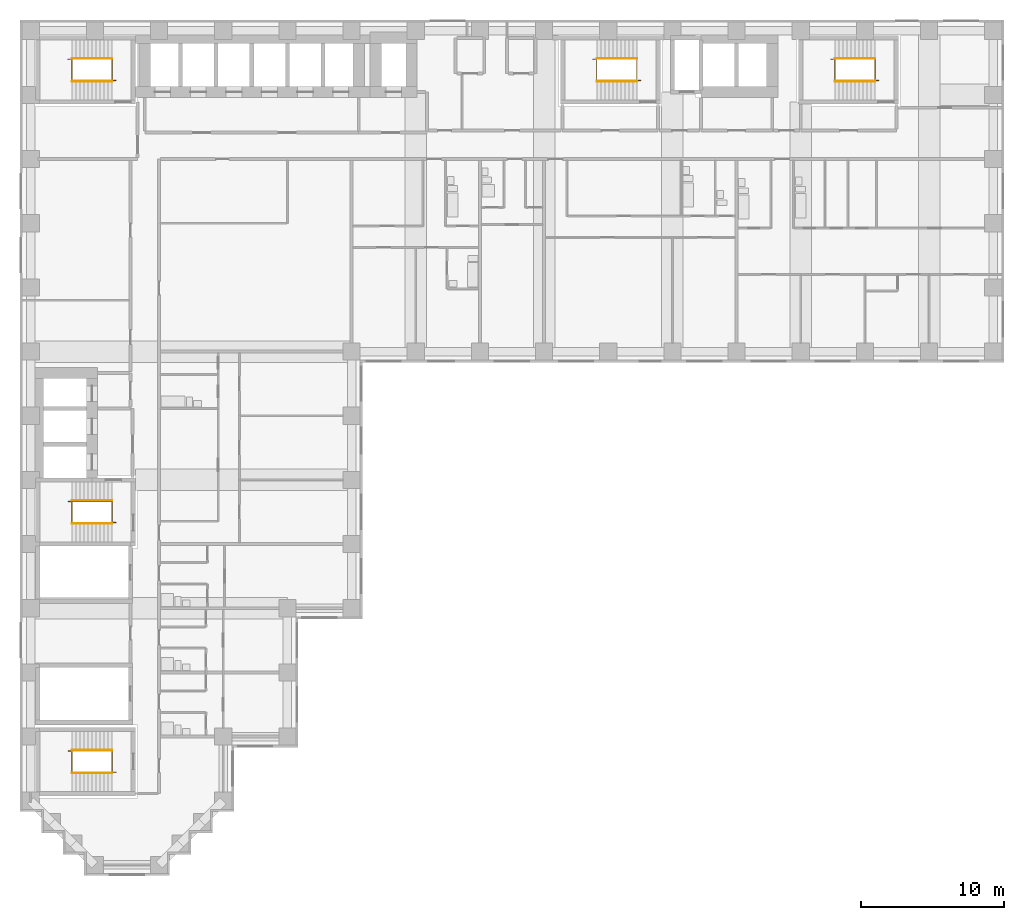
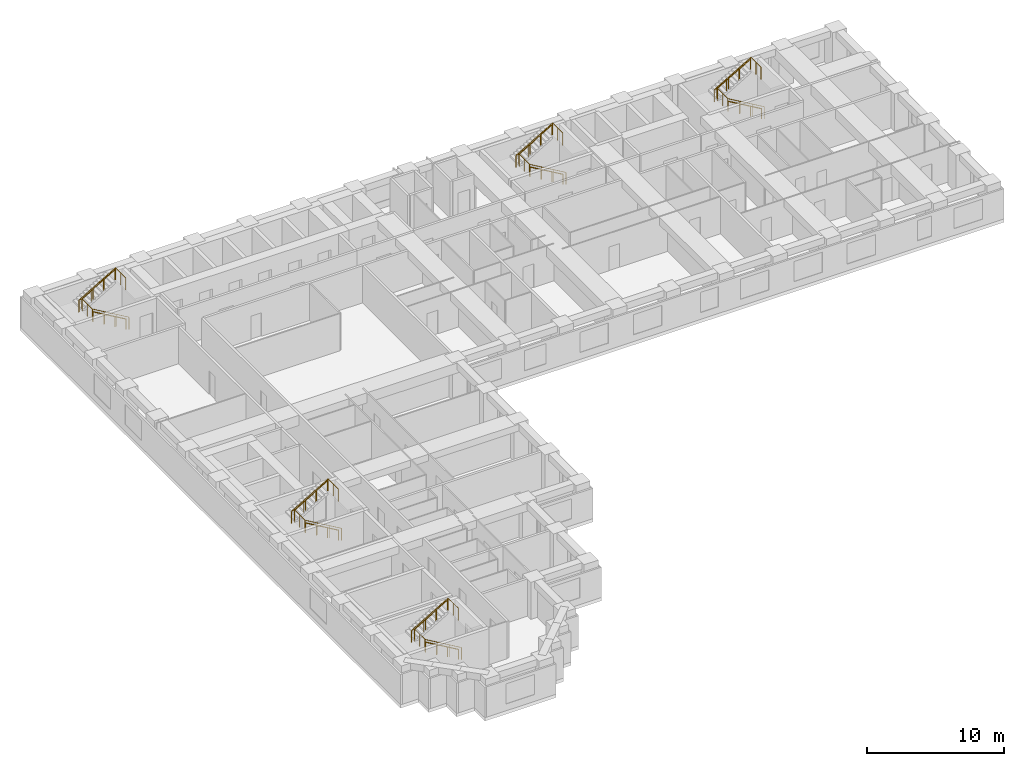
# One storey, part 10 of 11: 15 railings.
"""IFC4 building model written with IfcOpenShell, lengths in metres."""

from ifc_helpers import new_model, si_unit, direction, frame, origin, origin_2d, place, context, subcontext, project, spatial, circle, extrude, material, type_object, element, save


model = new_model("IFC4")

# Units and contexts
model_context = context("Model", 3, precision=1e-05, world=origin(), true_north=direction((0.0, 1.0)))
body_context = subcontext(model_context, "Body", "Model", "MODEL_VIEW")
ifc_project = project(units=[si_unit("LENGTHUNIT", "METRE"), si_unit("AREAUNIT", "SQUARE_METRE"), si_unit("VOLUMEUNIT", "CUBIC_METRE"), si_unit("PLANEANGLEUNIT", "RADIAN"), si_unit("MASSUNIT", "GRAM", prefix="KILO")], contexts=[model_context])

# Site, building, storey
site_placement = place(None, origin())
site = spatial("IfcSite", under=ifc_project, at=site_placement, CompositionType="ELEMENT")
building_placement = place(site_placement, origin())
building = spatial("IfcBuilding", under=site, at=building_placement, Name="Firuza Court", CompositionType="ELEMENT")
storey_placement = place(building_placement, frame((0.0, 0.0, 79.39990234375)))
storey = spatial("IfcBuildingStorey", under=building, at=storey_placement, Name="L19", CompositionType="ELEMENT", Elevation=79.39990234375)

# Railings
ifc_material_1 = material(Name="Steel S355", Category="steel")
railing_type_1 = type_object("IfcRailingType", Name="Handrail 900", PredefinedType="HANDRAIL", material=ifc_material_1)
railing_1_placement = place(storey_placement, frame((42.5, 54.949951171875, 0.163818359375)))
element("IfcRailing", 1, at=railing_1_placement, inside=storey, type_object=railing_type_1, Name="Handrail S1 flight 1", PredefinedType="HANDRAIL", context=body_context, shape_type="SweptSolid", body=[
    extrude(circle(Radius=0.02490234375, at=origin_2d()), frame((0.0, 0.0, 0.875), z_axis=(-0.863393664356, 0.0, 0.504530851732), x_axis=(0.0, -1.0, 0.0)), (0.0, 0.0, 1.0), 3.2431640625),
    extrude(circle(Radius=0.02001953125, at=origin_2d()), origin(), (0.0, 0.0, 1.0), 0.849853515625),
    extrude(circle(Radius=0.02001953125, at=origin_2d()), frame((-0.933349609375, 0.0, 0.54541015625)), (0.0, 0.0, 1.0), 0.849853515625),
    extrude(circle(Radius=0.02001953125, at=origin_2d()), frame((-1.86669921875, 0.0, 1.0908203125)), (0.0, 0.0, 1.0), 0.849853515625),
    extrude(circle(Radius=0.02001953125, at=origin_2d()), frame((-2.800048828125, 0.0, 1.63623046875)), (0.0, 0.0, 1.0), 0.849853515625),
])
railing_2_placement = place(storey_placement, frame((39.699951171875, 56.550048828125, 1.963623046875)))
element("IfcRailing", 2, at=railing_2_placement, inside=storey, type_object=railing_type_1, Name="Handrail S1 flight 2", PredefinedType="HANDRAIL", context=body_context, shape_type="SweptSolid", body=[
    extrude(circle(Radius=0.02490234375, at=origin_2d()), frame((0.0, 0.0, 0.875), z_axis=(0.863360870873, 0.0, 0.504586966384), x_axis=(0.0, 1.0, 0.0)), (0.0, 0.0, 1.0), 3.2431640625),
    extrude(circle(Radius=0.02001953125, at=origin_2d()), origin(), (0.0, 0.0, 1.0), 0.849853515625),
    extrude(circle(Radius=0.02001953125, at=origin_2d()), frame((0.933349609375, 0.0, 0.54541015625)), (0.0, 0.0, 1.0), 0.849853515625),
    extrude(circle(Radius=0.02001953125, at=origin_2d()), frame((1.86669921875, 0.0, 1.091064453125)), (0.0, 0.0, 1.0), 0.849853515625),
    extrude(circle(Radius=0.02001953125, at=origin_2d()), frame((2.800048828125, 0.0, 1.636474609375)), (0.0, 0.0, 1.0), 0.849853515625),
])
railing_3_placement = place(storey_placement, frame((5.699951171875, 23.949951171875, 0.163818359375)))
element("IfcRailing", 3, at=railing_3_placement, inside=storey, type_object=railing_type_1, Name="Handrail S2 flight 1", PredefinedType="HANDRAIL", context=body_context, shape_type="SweptSolid", body=[
    extrude(circle(Radius=0.02490234375, at=origin_2d()), frame((0.0, 0.0, 0.875), z_axis=(-0.863393664356, 0.0, 0.504530851732), x_axis=(0.0, -1.0, 0.0)), (0.0, 0.0, 1.0), 3.2431640625),
    extrude(circle(Radius=0.02001953125, at=origin_2d()), origin(), (0.0, 0.0, 1.0), 0.849853515625),
    extrude(circle(Radius=0.02001953125, at=origin_2d()), frame((-0.933349609375, 0.0, 0.54541015625)), (0.0, 0.0, 1.0), 0.849853515625),
    extrude(circle(Radius=0.02001953125, at=origin_2d()), frame((-1.86669921875, 0.0, 1.0908203125)), (0.0, 0.0, 1.0), 0.849853515625),
    extrude(circle(Radius=0.02001953125, at=origin_2d()), frame((-2.800048828125, 0.0, 1.63623046875)), (0.0, 0.0, 1.0), 0.849853515625),
])
railing_4_placement = place(storey_placement, frame((2.89990234375, 25.550048828125, 1.963623046875)))
element("IfcRailing", 4, at=railing_4_placement, inside=storey, type_object=railing_type_1, Name="Handrail S2 flight 2", PredefinedType="HANDRAIL", context=body_context, shape_type="SweptSolid", body=[
    extrude(circle(Radius=0.02490234375, at=origin_2d()), frame((0.0, 0.0, 0.875), z_axis=(0.863360870873, 0.0, 0.504586966384), x_axis=(0.0, 1.0, 0.0)), (0.0, 0.0, 1.0), 3.2431640625),
    extrude(circle(Radius=0.02001953125, at=origin_2d()), origin(), (0.0, 0.0, 1.0), 0.849853515625),
    extrude(circle(Radius=0.02001953125, at=origin_2d()), frame((0.933349609375, 0.0, 0.54541015625)), (0.0, 0.0, 1.0), 0.849853515625),
    extrude(circle(Radius=0.02001953125, at=origin_2d()), frame((1.86669921875, 0.0, 1.091064453125)), (0.0, 0.0, 1.0), 0.849853515625),
    extrude(circle(Radius=0.02001953125, at=origin_2d()), frame((2.800048828125, 0.0, 1.636474609375)), (0.0, 0.0, 1.0), 0.849853515625),
])
railing_5_placement = place(storey_placement, frame((5.699951171875, 54.949951171875, 0.163818359375)))
element("IfcRailing", 5, at=railing_5_placement, inside=storey, type_object=railing_type_1, Name="Handrail S3 flight 1", PredefinedType="HANDRAIL", context=body_context, shape_type="SweptSolid", body=[
    extrude(circle(Radius=0.02490234375, at=origin_2d()), frame((0.0, 0.0, 0.875), z_axis=(-0.863393664356, 0.0, 0.504530851732), x_axis=(0.0, -1.0, 0.0)), (0.0, 0.0, 1.0), 3.2431640625),
    extrude(circle(Radius=0.02001953125, at=origin_2d()), origin(), (0.0, 0.0, 1.0), 0.849853515625),
    extrude(circle(Radius=0.02001953125, at=origin_2d()), frame((-0.933349609375, 0.0, 0.54541015625)), (0.0, 0.0, 1.0), 0.849853515625),
    extrude(circle(Radius=0.02001953125, at=origin_2d()), frame((-1.86669921875, 0.0, 1.0908203125)), (0.0, 0.0, 1.0), 0.849853515625),
    extrude(circle(Radius=0.02001953125, at=origin_2d()), frame((-2.800048828125, 0.0, 1.63623046875)), (0.0, 0.0, 1.0), 0.849853515625),
])
railing_6_placement = place(storey_placement, frame((2.89990234375, 56.550048828125, 1.963623046875)))
element("IfcRailing", 6, at=railing_6_placement, inside=storey, type_object=railing_type_1, Name="Handrail S3 flight 2", PredefinedType="HANDRAIL", context=body_context, shape_type="SweptSolid", body=[
    extrude(circle(Radius=0.02490234375, at=origin_2d()), frame((0.0, 0.0, 0.875), z_axis=(0.863360870873, 0.0, 0.504586966384), x_axis=(0.0, 1.0, 0.0)), (0.0, 0.0, 1.0), 3.2431640625),
    extrude(circle(Radius=0.02001953125, at=origin_2d()), origin(), (0.0, 0.0, 1.0), 0.849853515625),
    extrude(circle(Radius=0.02001953125, at=origin_2d()), frame((0.933349609375, 0.0, 0.54541015625)), (0.0, 0.0, 1.0), 0.849853515625),
    extrude(circle(Radius=0.02001953125, at=origin_2d()), frame((1.86669921875, 0.0, 1.091064453125)), (0.0, 0.0, 1.0), 0.849853515625),
    extrude(circle(Radius=0.02001953125, at=origin_2d()), frame((2.800048828125, 0.0, 1.636474609375)), (0.0, 0.0, 1.0), 0.849853515625),
])
railing_7_placement = place(storey_placement, frame((59.199951171875, 54.949951171875, 0.163818359375)))
element("IfcRailing", 7, at=railing_7_placement, inside=storey, type_object=railing_type_1, Name="Handrail S4 flight 1", PredefinedType="HANDRAIL", context=body_context, shape_type="SweptSolid", body=[
    extrude(circle(Radius=0.02490234375, at=origin_2d()), frame((0.0, 0.0, 0.875), z_axis=(-0.863393664356, 0.0, 0.504530851732), x_axis=(0.0, -1.0, 0.0)), (0.0, 0.0, 1.0), 3.2431640625),
    extrude(circle(Radius=0.02001953125, at=origin_2d()), origin(), (0.0, 0.0, 1.0), 0.849853515625),
    extrude(circle(Radius=0.02001953125, at=origin_2d()), frame((-0.933349609375, 0.0, 0.54541015625)), (0.0, 0.0, 1.0), 0.849853515625),
    extrude(circle(Radius=0.02001953125, at=origin_2d()), frame((-1.86669921875, 0.0, 1.0908203125)), (0.0, 0.0, 1.0), 0.849853515625),
    extrude(circle(Radius=0.02001953125, at=origin_2d()), frame((-2.800048828125, 0.0, 1.63623046875)), (0.0, 0.0, 1.0), 0.849853515625),
])
railing_8_placement = place(storey_placement, frame((56.39990234375, 56.550048828125, 1.963623046875)))
element("IfcRailing", 8, at=railing_8_placement, inside=storey, type_object=railing_type_1, Name="Handrail S4 flight 2", PredefinedType="HANDRAIL", context=body_context, shape_type="SweptSolid", body=[
    extrude(circle(Radius=0.02490234375, at=origin_2d()), frame((0.0, 0.0, 0.875), z_axis=(0.863360870873, 0.0, 0.504586966384), x_axis=(0.0, 1.0, 0.0)), (0.0, 0.0, 1.0), 3.2431640625),
    extrude(circle(Radius=0.02001953125, at=origin_2d()), origin(), (0.0, 0.0, 1.0), 0.849853515625),
    extrude(circle(Radius=0.02001953125, at=origin_2d()), frame((0.933349609375, 0.0, 0.54541015625)), (0.0, 0.0, 1.0), 0.849853515625),
    extrude(circle(Radius=0.02001953125, at=origin_2d()), frame((1.86669921875, 0.0, 1.091064453125)), (0.0, 0.0, 1.0), 0.849853515625),
    extrude(circle(Radius=0.02001953125, at=origin_2d()), frame((2.800048828125, 0.0, 1.636474609375)), (0.0, 0.0, 1.0), 0.849853515625),
])
railing_9_placement = place(storey_placement, frame((5.699951171875, 6.449951171875, 0.163818359375)))
element("IfcRailing", 9, at=railing_9_placement, inside=storey, type_object=railing_type_1, Name="Handrail S5 flight 1", PredefinedType="HANDRAIL", context=body_context, shape_type="SweptSolid", body=[
    extrude(circle(Radius=0.02490234375, at=origin_2d()), frame((0.0, 0.0, 0.875), z_axis=(-0.863393664356, 0.0, 0.504530851732), x_axis=(0.0, -1.0, 0.0)), (0.0, 0.0, 1.0), 3.2431640625),
    extrude(circle(Radius=0.02001953125, at=origin_2d()), origin(), (0.0, 0.0, 1.0), 0.849853515625),
    extrude(circle(Radius=0.02001953125, at=origin_2d()), frame((-0.933349609375, 0.0, 0.54541015625)), (0.0, 0.0, 1.0), 0.849853515625),
    extrude(circle(Radius=0.02001953125, at=origin_2d()), frame((-1.86669921875, 0.0, 1.0908203125)), (0.0, 0.0, 1.0), 0.849853515625),
    extrude(circle(Radius=0.02001953125, at=origin_2d()), frame((-2.800048828125, 0.0, 1.63623046875)), (0.0, 0.0, 1.0), 0.849853515625),
])
railing_10_placement = place(storey_placement, frame((2.89990234375, 8.050048828125, 1.963623046875)))
element("IfcRailing", 10, at=railing_10_placement, inside=storey, type_object=railing_type_1, Name="Handrail S5 flight 2", PredefinedType="HANDRAIL", context=body_context, shape_type="SweptSolid", body=[
    extrude(circle(Radius=0.02490234375, at=origin_2d()), frame((0.0, 0.0, 0.875), z_axis=(0.863360870873, 0.0, 0.504586966384), x_axis=(0.0, 1.0, 0.0)), (0.0, 0.0, 1.0), 3.2431640625),
    extrude(circle(Radius=0.02001953125, at=origin_2d()), origin(), (0.0, 0.0, 1.0), 0.849853515625),
    extrude(circle(Radius=0.02001953125, at=origin_2d()), frame((0.933349609375, 0.0, 0.54541015625)), (0.0, 0.0, 1.0), 0.849853515625),
    extrude(circle(Radius=0.02001953125, at=origin_2d()), frame((1.86669921875, 0.0, 1.091064453125)), (0.0, 0.0, 1.0), 0.849853515625),
    extrude(circle(Radius=0.02001953125, at=origin_2d()), frame((2.800048828125, 0.0, 1.636474609375)), (0.0, 0.0, 1.0), 0.849853515625),
])
ifc_material_2 = material(Name="Steel S355", Category="steel")
railing_type_2 = type_object("IfcRailingType", Name="Stair guard 1100", PredefinedType="GUARDRAIL", material=ifc_material_2)
railing_11_placement = place(storey_placement, frame((42.780029296875, 55.010009765625, 0.0)))
element("IfcRailing", 11, at=railing_11_placement, inside=storey, type_object=railing_type_2, Name="Stair well guard S1", PredefinedType="GUARDRAIL", context=body_context, shape_type="SweptSolid", body=[
    extrude(circle(Radius=0.02490234375, at=origin_2d()), frame((0.0, 0.0, 1.0751953125), z_axis=(-0.863371556955, 0.0, 0.504568681787), x_axis=(0.0, -1.0, 0.0)), (0.0, 0.0, 1.0), 3.5673828125),
    extrude(circle(Radius=0.02490234375, at=origin_2d()), frame((-3.080078125, 0.0, 2.875), z_axis=(0.0, 1.0, 0.0), x_axis=(-1.0, 0.0, 0.0)), (0.0, 0.0, 1.0), 1.47998046875),
    extrude(circle(Radius=0.02490234375, at=origin_2d()), frame((-3.080078125, 1.47998046875, 2.875), z_axis=(-1.0, 0.0, 0.0), x_axis=(0.0, -1.0, 0.0)), (0.0, 0.0, 1.0), 0.280029296875),
    extrude(circle(Radius=0.02490234375, at=origin_2d()), frame((-3.360107421875, 1.47998046875, 2.875), z_axis=(0.863371556955, 0.0, 0.504568681787), x_axis=(0.0, 1.0, 0.0)), (0.0, 0.0, 1.0), 3.5673828125),
    extrude(circle(Radius=0.02490234375, at=origin_2d()), frame((-0.280029296875, 1.47998046875, 4.67529296875), z_axis=(0.0, -1.0, 0.0), x_axis=(1.0, 0.0, 0.0)), (0.0, 0.0, 1.0), 1.47998046875),
    extrude(circle(Radius=0.02490234375, at=origin_2d()), origin(), (0.0, 0.0, 1.0), 1.050048828125),
    extrude(circle(Radius=0.02490234375, at=origin_2d()), frame((-1.026611328125, 0.0, 0.60009765625)), (0.0, 0.0, 1.0), 1.050048828125),
    extrude(circle(Radius=0.02490234375, at=origin_2d()), frame((-2.053466796875, 0.0, 1.199951171875)), (0.0, 0.0, 1.0), 1.050048828125),
    extrude(circle(Radius=0.02490234375, at=origin_2d()), frame((-3.080078125, 0.0, 1.800048828125)), (0.0, 0.0, 1.0), 1.050048828125),
    extrude(circle(Radius=0.02490234375, at=origin_2d()), frame((-3.080078125, 0.739990234375, 1.800048828125)), (0.0, 0.0, 1.0), 1.050048828125),
    extrude(circle(Radius=0.02490234375, at=origin_2d()), frame((-3.080078125, 1.47998046875, 1.800048828125)), (0.0, 0.0, 1.0), 1.050048828125),
    extrude(circle(Radius=0.02490234375, at=origin_2d()), frame((-3.360107421875, 1.47998046875, 1.800048828125)), (0.0, 0.0, 1.0), 1.050048828125),
    extrude(circle(Radius=0.02490234375, at=origin_2d()), frame((-2.33349609375, 1.47998046875, 2.400146484375)), (0.0, 0.0, 1.0), 1.050048828125),
    extrude(circle(Radius=0.02490234375, at=origin_2d()), frame((-1.306640625, 1.47998046875, 3.0)), (0.0, 0.0, 1.0), 1.050048828125),
    extrude(circle(Radius=0.02490234375, at=origin_2d()), frame((-0.280029296875, 1.47998046875, 3.60009765625)), (0.0, 0.0, 1.0), 1.050048828125),
    extrude(circle(Radius=0.02490234375, at=origin_2d()), frame((-0.280029296875, 0.739990234375, 3.60009765625)), (0.0, 0.0, 1.0), 1.050048828125),
    extrude(circle(Radius=0.02490234375, at=origin_2d()), frame((-0.280029296875, 0.0, 3.60009765625)), (0.0, 0.0, 1.0), 1.050048828125),
])
railing_12_placement = place(storey_placement, frame((5.97998046875, 24.010009765625, 0.0)))
element("IfcRailing", 12, at=railing_12_placement, inside=storey, type_object=railing_type_2, Name="Stair well guard S2", PredefinedType="GUARDRAIL", context=body_context, shape_type="SweptSolid", body=[
    extrude(circle(Radius=0.02490234375, at=origin_2d()), frame((0.0, 0.0, 1.0751953125), z_axis=(-0.863371556955, 0.0, 0.504568681787), x_axis=(0.0, -1.0, 0.0)), (0.0, 0.0, 1.0), 3.5673828125),
    extrude(circle(Radius=0.02490234375, at=origin_2d()), frame((-3.080078125, 0.0, 2.875), z_axis=(0.0, 1.0, 0.0), x_axis=(-1.0, 0.0, 0.0)), (0.0, 0.0, 1.0), 1.47998046875),
    extrude(circle(Radius=0.02490234375, at=origin_2d()), frame((-3.080078125, 1.47998046875, 2.875), z_axis=(-1.0, 0.0, 0.0), x_axis=(0.0, -1.0, 0.0)), (0.0, 0.0, 1.0), 0.27978515625),
    extrude(circle(Radius=0.02490234375, at=origin_2d()), frame((-3.35986328125, 1.47998046875, 2.875), z_axis=(0.863354132664, 0.0, 0.504598495452), x_axis=(0.0, 1.0, 0.0)), (0.0, 0.0, 1.0), 3.5673828125),
    extrude(circle(Radius=0.02490234375, at=origin_2d()), frame((-0.280029296875, 1.47998046875, 4.67529296875), z_axis=(0.0, -1.0, 0.0), x_axis=(1.0, 0.0, 0.0)), (0.0, 0.0, 1.0), 1.47998046875),
    extrude(circle(Radius=0.02490234375, at=origin_2d()), origin(), (0.0, 0.0, 1.0), 1.050048828125),
    extrude(circle(Radius=0.02490234375, at=origin_2d()), frame((-1.026611328125, 0.0, 0.60009765625)), (0.0, 0.0, 1.0), 1.050048828125),
    extrude(circle(Radius=0.02490234375, at=origin_2d()), frame((-2.053466796875, 0.0, 1.199951171875)), (0.0, 0.0, 1.0), 1.050048828125),
    extrude(circle(Radius=0.02490234375, at=origin_2d()), frame((-3.080078125, 0.0, 1.800048828125)), (0.0, 0.0, 1.0), 1.050048828125),
    extrude(circle(Radius=0.02490234375, at=origin_2d()), frame((-3.080078125, 0.739990234375, 1.800048828125)), (0.0, 0.0, 1.0), 1.050048828125),
    extrude(circle(Radius=0.02490234375, at=origin_2d()), frame((-3.080078125, 1.47998046875, 1.800048828125)), (0.0, 0.0, 1.0), 1.050048828125),
    extrude(circle(Radius=0.02490234375, at=origin_2d()), frame((-3.35986328125, 1.47998046875, 1.800048828125)), (0.0, 0.0, 1.0), 1.050048828125),
    extrude(circle(Radius=0.02490234375, at=origin_2d()), frame((-2.333251953125, 1.47998046875, 2.400146484375)), (0.0, 0.0, 1.0), 1.050048828125),
    extrude(circle(Radius=0.02490234375, at=origin_2d()), frame((-1.306640625, 1.47998046875, 3.0)), (0.0, 0.0, 1.0), 1.050048828125),
    extrude(circle(Radius=0.02490234375, at=origin_2d()), frame((-0.280029296875, 1.47998046875, 3.60009765625)), (0.0, 0.0, 1.0), 1.050048828125),
    extrude(circle(Radius=0.02490234375, at=origin_2d()), frame((-0.280029296875, 0.739990234375, 3.60009765625)), (0.0, 0.0, 1.0), 1.050048828125),
    extrude(circle(Radius=0.02490234375, at=origin_2d()), frame((-0.280029296875, 0.0, 3.60009765625)), (0.0, 0.0, 1.0), 1.050048828125),
])
railing_13_placement = place(storey_placement, frame((5.97998046875, 55.010009765625, 0.0)))
element("IfcRailing", 13, at=railing_13_placement, inside=storey, type_object=railing_type_2, Name="Stair well guard S3", PredefinedType="GUARDRAIL", context=body_context, shape_type="SweptSolid", body=[
    extrude(circle(Radius=0.02490234375, at=origin_2d()), frame((0.0, 0.0, 1.0751953125), z_axis=(-0.863371556955, 0.0, 0.504568681787), x_axis=(0.0, -1.0, 0.0)), (0.0, 0.0, 1.0), 3.5673828125),
    extrude(circle(Radius=0.02490234375, at=origin_2d()), frame((-3.080078125, 0.0, 2.875), z_axis=(0.0, 1.0, 0.0), x_axis=(-1.0, 0.0, 0.0)), (0.0, 0.0, 1.0), 1.47998046875),
    extrude(circle(Radius=0.02490234375, at=origin_2d()), frame((-3.080078125, 1.47998046875, 2.875), z_axis=(-1.0, 0.0, 0.0), x_axis=(0.0, -1.0, 0.0)), (0.0, 0.0, 1.0), 0.27978515625),
    extrude(circle(Radius=0.02490234375, at=origin_2d()), frame((-3.35986328125, 1.47998046875, 2.875), z_axis=(0.863354132664, 0.0, 0.504598495452), x_axis=(0.0, 1.0, 0.0)), (0.0, 0.0, 1.0), 3.5673828125),
    extrude(circle(Radius=0.02490234375, at=origin_2d()), frame((-0.280029296875, 1.47998046875, 4.67529296875), z_axis=(0.0, -1.0, 0.0), x_axis=(1.0, 0.0, 0.0)), (0.0, 0.0, 1.0), 1.47998046875),
    extrude(circle(Radius=0.02490234375, at=origin_2d()), origin(), (0.0, 0.0, 1.0), 1.050048828125),
    extrude(circle(Radius=0.02490234375, at=origin_2d()), frame((-1.026611328125, 0.0, 0.60009765625)), (0.0, 0.0, 1.0), 1.050048828125),
    extrude(circle(Radius=0.02490234375, at=origin_2d()), frame((-2.053466796875, 0.0, 1.199951171875)), (0.0, 0.0, 1.0), 1.050048828125),
    extrude(circle(Radius=0.02490234375, at=origin_2d()), frame((-3.080078125, 0.0, 1.800048828125)), (0.0, 0.0, 1.0), 1.050048828125),
    extrude(circle(Radius=0.02490234375, at=origin_2d()), frame((-3.080078125, 0.739990234375, 1.800048828125)), (0.0, 0.0, 1.0), 1.050048828125),
    extrude(circle(Radius=0.02490234375, at=origin_2d()), frame((-3.080078125, 1.47998046875, 1.800048828125)), (0.0, 0.0, 1.0), 1.050048828125),
    extrude(circle(Radius=0.02490234375, at=origin_2d()), frame((-3.35986328125, 1.47998046875, 1.800048828125)), (0.0, 0.0, 1.0), 1.050048828125),
    extrude(circle(Radius=0.02490234375, at=origin_2d()), frame((-2.333251953125, 1.47998046875, 2.400146484375)), (0.0, 0.0, 1.0), 1.050048828125),
    extrude(circle(Radius=0.02490234375, at=origin_2d()), frame((-1.306640625, 1.47998046875, 3.0)), (0.0, 0.0, 1.0), 1.050048828125),
    extrude(circle(Radius=0.02490234375, at=origin_2d()), frame((-0.280029296875, 1.47998046875, 3.60009765625)), (0.0, 0.0, 1.0), 1.050048828125),
    extrude(circle(Radius=0.02490234375, at=origin_2d()), frame((-0.280029296875, 0.739990234375, 3.60009765625)), (0.0, 0.0, 1.0), 1.050048828125),
    extrude(circle(Radius=0.02490234375, at=origin_2d()), frame((-0.280029296875, 0.0, 3.60009765625)), (0.0, 0.0, 1.0), 1.050048828125),
])
railing_14_placement = place(storey_placement, frame((59.47998046875, 55.010009765625, 0.0)))
element("IfcRailing", 14, at=railing_14_placement, inside=storey, type_object=railing_type_2, Name="Stair well guard S4", PredefinedType="GUARDRAIL", context=body_context, shape_type="SweptSolid", body=[
    extrude(circle(Radius=0.02490234375, at=origin_2d()), frame((0.0, 0.0, 1.0751953125), z_axis=(-0.863371556955, 0.0, 0.504568681787), x_axis=(0.0, -1.0, 0.0)), (0.0, 0.0, 1.0), 3.5673828125),
    extrude(circle(Radius=0.02490234375, at=origin_2d()), frame((-3.080078125, 0.0, 2.875), z_axis=(0.0, 1.0, 0.0), x_axis=(-1.0, 0.0, 0.0)), (0.0, 0.0, 1.0), 1.47998046875),
    extrude(circle(Radius=0.02490234375, at=origin_2d()), frame((-3.080078125, 1.47998046875, 2.875), z_axis=(-1.0, 0.0, 0.0), x_axis=(0.0, -1.0, 0.0)), (0.0, 0.0, 1.0), 0.27978515625),
    extrude(circle(Radius=0.02490234375, at=origin_2d()), frame((-3.35986328125, 1.47998046875, 2.875), z_axis=(0.863354132664, 0.0, 0.504598495452), x_axis=(0.0, 1.0, 0.0)), (0.0, 0.0, 1.0), 3.5673828125),
    extrude(circle(Radius=0.02490234375, at=origin_2d()), frame((-0.280029296875, 1.47998046875, 4.67529296875), z_axis=(0.0, -1.0, 0.0), x_axis=(1.0, 0.0, 0.0)), (0.0, 0.0, 1.0), 1.47998046875),
    extrude(circle(Radius=0.02490234375, at=origin_2d()), origin(), (0.0, 0.0, 1.0), 1.050048828125),
    extrude(circle(Radius=0.02490234375, at=origin_2d()), frame((-1.026611328125, 0.0, 0.60009765625)), (0.0, 0.0, 1.0), 1.050048828125),
    extrude(circle(Radius=0.02490234375, at=origin_2d()), frame((-2.053466796875, 0.0, 1.199951171875)), (0.0, 0.0, 1.0), 1.050048828125),
    extrude(circle(Radius=0.02490234375, at=origin_2d()), frame((-3.080078125, 0.0, 1.800048828125)), (0.0, 0.0, 1.0), 1.050048828125),
    extrude(circle(Radius=0.02490234375, at=origin_2d()), frame((-3.080078125, 0.739990234375, 1.800048828125)), (0.0, 0.0, 1.0), 1.050048828125),
    extrude(circle(Radius=0.02490234375, at=origin_2d()), frame((-3.080078125, 1.47998046875, 1.800048828125)), (0.0, 0.0, 1.0), 1.050048828125),
    extrude(circle(Radius=0.02490234375, at=origin_2d()), frame((-3.35986328125, 1.47998046875, 1.800048828125)), (0.0, 0.0, 1.0), 1.050048828125),
    extrude(circle(Radius=0.02490234375, at=origin_2d()), frame((-2.333251953125, 1.47998046875, 2.400146484375)), (0.0, 0.0, 1.0), 1.050048828125),
    extrude(circle(Radius=0.02490234375, at=origin_2d()), frame((-1.306640625, 1.47998046875, 3.0)), (0.0, 0.0, 1.0), 1.050048828125),
    extrude(circle(Radius=0.02490234375, at=origin_2d()), frame((-0.280029296875, 1.47998046875, 3.60009765625)), (0.0, 0.0, 1.0), 1.050048828125),
    extrude(circle(Radius=0.02490234375, at=origin_2d()), frame((-0.280029296875, 0.739990234375, 3.60009765625)), (0.0, 0.0, 1.0), 1.050048828125),
    extrude(circle(Radius=0.02490234375, at=origin_2d()), frame((-0.280029296875, 0.0, 3.60009765625)), (0.0, 0.0, 1.0), 1.050048828125),
])
railing_15_placement = place(storey_placement, frame((5.97998046875, 6.510009765625, 0.0)))
element("IfcRailing", 15, at=railing_15_placement, inside=storey, type_object=railing_type_2, Name="Stair well guard S5", PredefinedType="GUARDRAIL", context=body_context, shape_type="SweptSolid", body=[
    extrude(circle(Radius=0.02490234375, at=origin_2d()), frame((0.0, 0.0, 1.0751953125), z_axis=(-0.863371556955, 0.0, 0.504568681787), x_axis=(0.0, -1.0, 0.0)), (0.0, 0.0, 1.0), 3.5673828125),
    extrude(circle(Radius=0.02490234375, at=origin_2d()), frame((-3.080078125, 0.0, 2.875), z_axis=(0.0, 1.0, 0.0), x_axis=(-1.0, 0.0, 0.0)), (0.0, 0.0, 1.0), 1.47998046875),
    extrude(circle(Radius=0.02490234375, at=origin_2d()), frame((-3.080078125, 1.47998046875, 2.875), z_axis=(-1.0, 0.0, 0.0), x_axis=(0.0, -1.0, 0.0)), (0.0, 0.0, 1.0), 0.27978515625),
    extrude(circle(Radius=0.02490234375, at=origin_2d()), frame((-3.35986328125, 1.47998046875, 2.875), z_axis=(0.863354132664, 0.0, 0.504598495452), x_axis=(0.0, 1.0, 0.0)), (0.0, 0.0, 1.0), 3.5673828125),
    extrude(circle(Radius=0.02490234375, at=origin_2d()), frame((-0.280029296875, 1.47998046875, 4.67529296875), z_axis=(0.0, -1.0, 0.0), x_axis=(1.0, 0.0, 0.0)), (0.0, 0.0, 1.0), 1.47998046875),
    extrude(circle(Radius=0.02490234375, at=origin_2d()), origin(), (0.0, 0.0, 1.0), 1.050048828125),
    extrude(circle(Radius=0.02490234375, at=origin_2d()), frame((-1.026611328125, 0.0, 0.60009765625)), (0.0, 0.0, 1.0), 1.050048828125),
    extrude(circle(Radius=0.02490234375, at=origin_2d()), frame((-2.053466796875, 0.0, 1.199951171875)), (0.0, 0.0, 1.0), 1.050048828125),
    extrude(circle(Radius=0.02490234375, at=origin_2d()), frame((-3.080078125, 0.0, 1.800048828125)), (0.0, 0.0, 1.0), 1.050048828125),
    extrude(circle(Radius=0.02490234375, at=origin_2d()), frame((-3.080078125, 0.739990234375, 1.800048828125)), (0.0, 0.0, 1.0), 1.050048828125),
    extrude(circle(Radius=0.02490234375, at=origin_2d()), frame((-3.080078125, 1.47998046875, 1.800048828125)), (0.0, 0.0, 1.0), 1.050048828125),
    extrude(circle(Radius=0.02490234375, at=origin_2d()), frame((-3.35986328125, 1.47998046875, 1.800048828125)), (0.0, 0.0, 1.0), 1.050048828125),
    extrude(circle(Radius=0.02490234375, at=origin_2d()), frame((-2.333251953125, 1.47998046875, 2.400146484375)), (0.0, 0.0, 1.0), 1.050048828125),
    extrude(circle(Radius=0.02490234375, at=origin_2d()), frame((-1.306640625, 1.47998046875, 3.0)), (0.0, 0.0, 1.0), 1.050048828125),
    extrude(circle(Radius=0.02490234375, at=origin_2d()), frame((-0.280029296875, 1.47998046875, 3.60009765625)), (0.0, 0.0, 1.0), 1.050048828125),
    extrude(circle(Radius=0.02490234375, at=origin_2d()), frame((-0.280029296875, 0.739990234375, 3.60009765625)), (0.0, 0.0, 1.0), 1.050048828125),
    extrude(circle(Radius=0.02490234375, at=origin_2d()), frame((-0.280029296875, 0.0, 3.60009765625)), (0.0, 0.0, 1.0), 1.050048828125),
])

save(model, "model.ifc")
